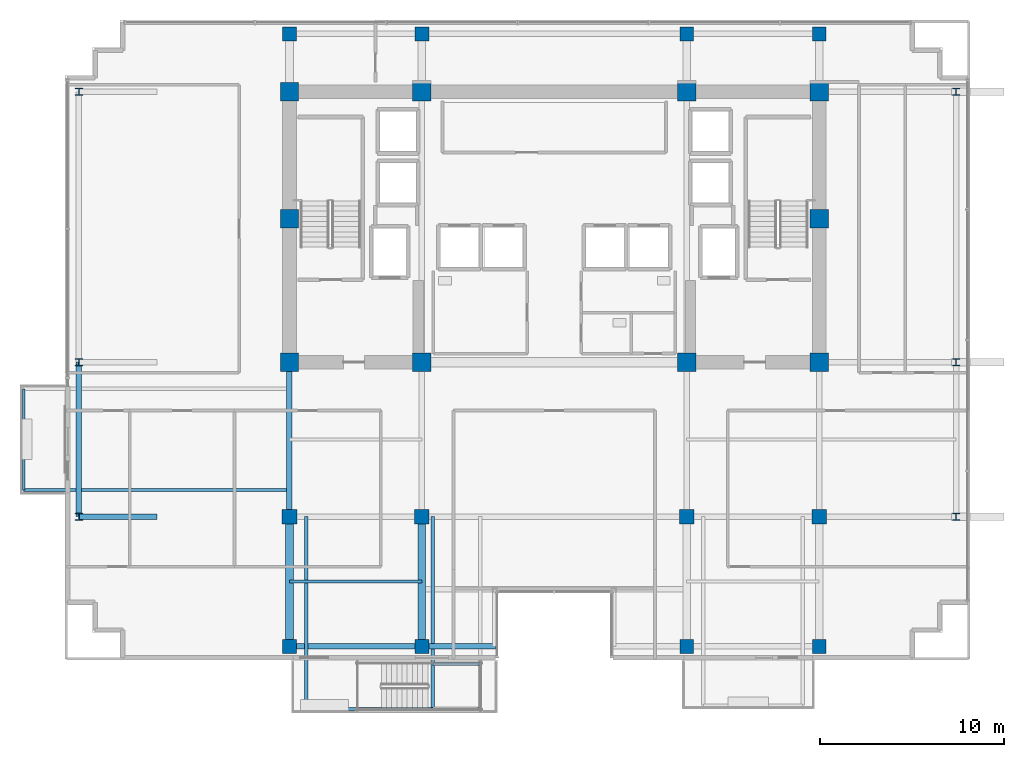
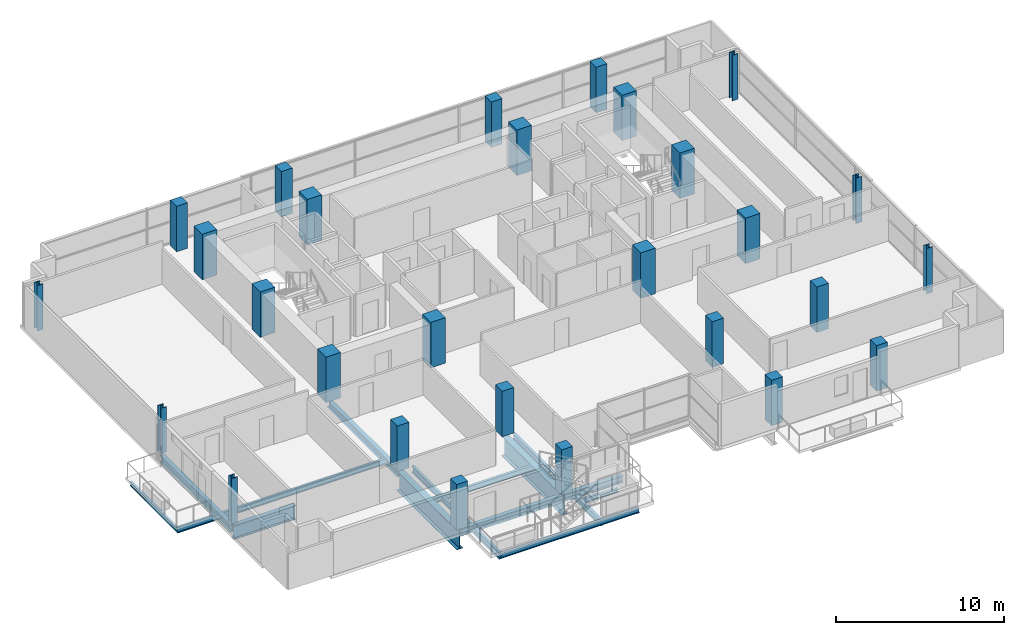
# One storey, part 1 of 23: 28 columns, 14 beams.
"""IFC4 building model written with IfcOpenShell, lengths in metres."""

import ifcopenshell
import ifcopenshell.guid

model = None  # the IFC model being written
_history = None  # IfcOwnerHistory: only IFC2X3 demands one
_inside = {}  # id of a spatial element -> (the spatial element, [elements in it])
_under = {}  # id of a project, library or spatial element -> (it, [spatial elements below it])
_declared = {}  # id of a project -> (the project, [libraries it declares])
_typed = {}  # id of a type object -> (the type object, [elements of that type])
_made_of = {}  # id of a material, layer set ... -> (it, [elements and type objects made of it])


def new_model(schema):
    """Start an empty IFC model of exactly this schema.

    Asked for "IFC4X3", IfcOpenShell would pick the latest addendum, in which some entities
    have other attributes; the version numbers below select the first issue.
    IFC2X3 requires an IfcOwnerHistory on every rooted entity: one is made here for all.
    """
    global model, _history
    if schema == "IFC4X3":
        model = ifcopenshell.file(schema_version=(4, 3, 0, 0))
    else:
        model = ifcopenshell.file(schema=schema)
    _inside.clear()
    _under.clear()
    _declared.clear()
    _typed.clear()
    _made_of.clear()
    _history = None
    if model.schema == "IFC2X3":
        org = make("IfcOrganization", Name="unknown")
        user = make(
            "IfcPersonAndOrganization",
            ThePerson=make("IfcPerson", FamilyName="unknown"),
            TheOrganization=org,
        )
        app = make(
            "IfcApplication",
            ApplicationDeveloper=org,
            Version="unknown",
            ApplicationFullName="unknown",
            ApplicationIdentifier="unknown",
        )
        _history = make(
            "IfcOwnerHistory",
            OwningUser=user,
            OwningApplication=app,
            ChangeAction="ADDED",
            CreationDate=0,
        )
    return model


def make(cls, **values):
    """One entity of the class cls with the attributes given. An attribute that is None is left unset."""
    return model.create_entity(
        cls, **{name: value for name, value in values.items() if value is not None}
    )


def rooted(cls, **values):
    """An entity with a GlobalId (a new one), such as an element, a storey or a relation."""
    return make(cls, GlobalId=ifcopenshell.guid.new(), OwnerHistory=_history, **values)


def si_unit(unit_type, name, prefix=None):
    """IfcSIUnit, for example si_unit("LENGTHUNIT", "METRE", prefix="MILLI")."""
    return make("IfcSIUnit", UnitType=unit_type, Prefix=prefix, Name=name)


def assignment(units):
    """IfcUnitAssignment: the units of a project."""
    return None if units is None else make("IfcUnitAssignment", Units=units)


def point(xyz):
    """IfcCartesianPoint."""
    return None if xyz is None else make("IfcCartesianPoint", Coordinates=xyz)


def direction(xyz):
    """IfcDirection."""
    return None if xyz is None else make("IfcDirection", DirectionRatios=xyz)


def frame(location, z_axis=None, x_axis=None):
    """IfcAxis2Placement3D, a coordinate frame: its origin and axes. An axis left out is left unset."""
    return make(
        "IfcAxis2Placement3D",
        Location=point(location),
        Axis=direction(z_axis),
        RefDirection=direction(x_axis),
    )


def frame_2d(location, x_axis=None):
    """IfcAxis2Placement2D, a coordinate frame in the plane: its origin and x axis."""
    return make(
        "IfcAxis2Placement2D", Location=point(location), RefDirection=direction(x_axis)
    )


def origin():
    """The frame at (0, 0, 0) with its axes left unset."""
    return frame((0.0, 0.0, 0.0))


def origin_2d():
    """The frame at (0, 0) in the plane with its x axis left unset."""
    return frame_2d((0.0, 0.0))


def place(relative_to, where):
    """IfcLocalPlacement: puts the frame where relative to a parent placement (None: the world)."""
    return make(
        "IfcLocalPlacement", PlacementRelTo=relative_to, RelativePlacement=where
    )


def context(
    kind, dimensions, precision=None, world=None, true_north=None, identifier=None
):
    """IfcGeometricRepresentationContext, for example the 3D "Model" context."""
    return make(
        "IfcGeometricRepresentationContext",
        ContextIdentifier=identifier,
        ContextType=kind,
        CoordinateSpaceDimension=dimensions,
        Precision=precision,
        WorldCoordinateSystem=world,
        TrueNorth=true_north,
    )


def subcontext(parent, identifier, kind, view, scale=None):
    """IfcGeometricRepresentationSubContext, for example "Body" below "Model"."""
    return make(
        "IfcGeometricRepresentationSubContext",
        ContextIdentifier=identifier,
        ContextType=kind,
        ParentContext=parent,
        TargetScale=scale,
        TargetView=view,
    )


def project(units=None, contexts=None):
    """IfcProject with its units and contexts."""
    return rooted(
        "IfcProject",
        Name="project",
        RepresentationContexts=contexts,
        UnitsInContext=assignment(units),
    )


def spatial(cls, under=None, at=None, **own):
    """A site, building, storey or space (cls), placed at a placement, below another one or the project."""
    s = rooted(cls, ObjectPlacement=at, **own)
    if under is not None:
        _under.setdefault(under.id(), (under, []))[1].append(s)
    return s


def profile(cls, at=None, kind="AREA", **sizes):
    """A parametric profile (cls). Its sizes go by their IFC names, for example OverallWidth=200.0."""
    return make(cls, ProfileType=kind, Position=at, **sizes)


def rectangle(**sizes):
    """IfcRectangleProfileDef."""
    return profile("IfcRectangleProfileDef", **sizes)


def i_section(**sizes):
    """IfcIShapeProfileDef."""
    return profile("IfcIShapeProfileDef", **sizes)


def extrude(swept, where, along, depth):
    """IfcExtrudedAreaSolid: the profile swept, set in the frame where, extruded along a direction by depth."""
    return make(
        "IfcExtrudedAreaSolid",
        SweptArea=swept,
        Position=where,
        ExtrudedDirection=direction(along),
        Depth=depth,
    )


def shape(context_of_items, identifier, shape_type, items):
    """IfcShapeRepresentation: the items that make up one representation, for example the "Body"."""
    return make(
        "IfcShapeRepresentation",
        ContextOfItems=context_of_items,
        RepresentationIdentifier=identifier,
        RepresentationType=shape_type,
        Items=items,
    )


def material(Name=None, Category=None):
    """IfcMaterial."""
    return make("IfcMaterial", Name=Name, Category=Category)


def material_profile(
    of_material, cross_section, Name=None, Category=None, Priority=None
):
    """IfcMaterialProfile: a cross section and its material."""
    return make(
        "IfcMaterialProfile",
        Name=Name,
        Material=of_material,
        Profile=cross_section,
        Priority=Priority,
        Category=Category,
    )


def profile_set(profiles, Name=None, composite=None):
    """IfcMaterialProfileSet."""
    return make(
        "IfcMaterialProfileSet",
        Name=Name,
        MaterialProfiles=profiles,
        CompositeProfile=composite,
    )


def made_of(thing, what):
    """Note that an element or type object is made of a material, layer set ...; save() writes the relation."""
    if what is not None:
        _made_of.setdefault(what.id(), (what, []))[1].append(thing)
    return thing


def type_object(cls, material=None, **own):
    """A type object (cls), such as IfcWallType, which elements share."""
    return made_of(rooted(cls, **own), material)


def element(
    cls,
    number,
    at=None,
    inside=None,
    cuts=None,
    type_object=None,
    material=None,
    context=None,
    identifier="Body",
    shape_type=None,
    held_by="IfcProductDefinitionShape",
    body=None,
    shapes=None,
    **own,
):
    """One element of the class cls, such as IfcWall. Its Tag is "e" and its number.

    at: its placement. inside: the storey or other place that contains it. cuts: it is an
    opening in that element (IfcRelVoidsElement). A single representation is given by context,
    identifier, shape_type and body (its items); several are given by shapes. held_by: the class
    of the entity that holds the representations. save() writes the other relations.
    """
    e = rooted(cls, Tag="e%d" % number, ObjectPlacement=at, **own)
    if body is not None:
        shapes = [shape(context, identifier, shape_type, body)]
    if shapes is not None:
        e.Representation = make(held_by, Representations=shapes)
    if inside is not None:
        _inside.setdefault(inside.id(), (inside, []))[1].append(e)
    if cuts is not None:
        rooted(
            "IfcRelVoidsElement", RelatingBuildingElement=cuts, RelatedOpeningElement=e
        )
    if type_object is not None:
        _typed.setdefault(type_object.id(), (type_object, []))[1].append(e)
    return made_of(e, material)


def aggregate(whole, parts):
    """IfcRelAggregates: a whole, such as a stair, and the parts it consists of."""
    return rooted("IfcRelAggregates", RelatingObject=whole, RelatedObjects=parts)


def save(model, path):
    """Write the relations noted so far, then the file.

    IfcRelAggregates (storeys below a building ...), IfcRelContainedInSpatialStructure (elements
    in a storey), IfcRelDefinesByType, IfcRelAssociatesMaterial and IfcRelDeclares: one each for
    every whole, place, type object, material and project.
    """
    for whole, parts in _under.values():
        aggregate(whole, parts)
    for where, things in _inside.values():
        rooted(
            "IfcRelContainedInSpatialStructure",
            RelatedElements=things,
            RelatingStructure=where,
        )
    for kind, things in _typed.values():
        rooted("IfcRelDefinesByType", RelatedObjects=things, RelatingType=kind)
    for what, things in _made_of.values():
        rooted("IfcRelAssociatesMaterial", RelatedObjects=things, RelatingMaterial=what)
    for by, libraries in _declared.values():
        rooted("IfcRelDeclares", RelatingContext=by, RelatedDefinitions=libraries)
    model.write(path)


model = new_model("IFC4")

# Units and contexts
model_context = context("Model", 3, precision=1e-05, world=origin(), true_north=direction((0.0, 1.0)))
body_context = subcontext(model_context, "Body", "Model", "MODEL_VIEW")
ifc_project = project(units=[si_unit("LENGTHUNIT", "METRE"), si_unit("AREAUNIT", "SQUARE_METRE"), si_unit("VOLUMEUNIT", "CUBIC_METRE"), si_unit("PLANEANGLEUNIT", "RADIAN"), si_unit("MASSUNIT", "GRAM", prefix="KILO")], contexts=[model_context])

# Site, building, storey
site_placement = place(None, origin())
site = spatial("IfcSite", under=ifc_project, at=site_placement, CompositionType="ELEMENT")
building_placement = place(site_placement, origin())
building = spatial("IfcBuilding", under=site, at=building_placement, Name="Zarnakvel Exchange Tower", CompositionType="ELEMENT")
storey_placement = place(building_placement, frame((0.0, 0.0, 146.199951171875)))
storey = spatial("IfcBuildingStorey", under=building, at=storey_placement, Name="L40", CompositionType="ELEMENT", Elevation=146.199951171875)

# Columns
ifc_material_1 = material(Name="Concrete C60/75", Category="concrete")
ifc_material_profile_1 = material_profile(ifc_material_1, rectangle(XDim=1.0, YDim=1.0, at=origin_2d()))
ifc_profile_set_1 = profile_set([ifc_material_profile_1], Name="Concrete C60/75")
column_type_1 = type_object("IfcColumnType", Name="CC-02", PredefinedType="COLUMN", material=ifc_profile_set_1)
for number, where, z_axis, x_axis, name in (
    (1, (-14.39990234375, -1.199951171875, 0.0), (0.0, 0.0, 1.0), (1.0, 0.0, 0.0), "L40 Column C-4D (CC-02)"),
    (2, (-7.199951171875, -1.199951171875, 0.0), (0.0, 0.0, 1.0), (1.0, 0.0, 0.0), "L40 Column C-5D (CC-02)"),
    (3, (7.199951171875, -1.199951171875, 0.0), (0.0, 0.0, 1.0), (1.0, 0.0, 0.0), "L40 Column C-8D (CC-02)"),
    (4, (14.39990234375, -1.199951171875, 0.0), (0.0, 0.0, 1.0), (1.0, 0.0, 0.0), "L40 Column C-9D (CC-02)"),
    (5, (-14.39990234375, 6.60009765625, 0.0), (0.0, 0.0, 1.0), (1.0, 0.0, 0.0), "L40 Column C-4E (CC-02)"),
    (6, (14.39990234375, 6.60009765625, 0.0), (0.0, 0.0, 1.0), (1.0, 0.0, 0.0), "L40 Column C-9E (CC-02)"),
    (7, (-14.39990234375, 13.5, 0.0), (0.0, 0.0, 1.0), (1.0, 0.0, 0.0), "L40 Column C-4F (CC-02)"),
    (8, (-7.199951171875, 13.5, 0.0), (0.0, 0.0, 1.0), (1.0, 0.0, 0.0), "L40 Column C-5F (CC-02)"),
    (9, (7.199951171875, 13.5, 0.0), (0.0, 0.0, 1.0), (1.0, 0.0, 0.0), "L40 Column C-8F (CC-02)"),
    (10, (14.39990234375, 13.5, 0.0), (0.0, 0.0, 1.0), (1.0, 0.0, 0.0), "L40 Column C-9F (CC-02)"),
):
    element("IfcColumn", number, at=place(storey_placement, frame(where, z_axis=z_axis, x_axis=x_axis)), inside=storey, type_object=column_type_1, Name=name, PredefinedType="COLUMN", context=body_context, shape_type="SweptSolid", body=[
        extrude(rectangle(XDim=1.0, YDim=1.0, at=origin_2d()), origin(), (0.0, 0.0, 1.0), 3.300048828125),
    ])
ifc_material_2 = material(Name="Steel S355", Category="steel")
ifc_material_profile_2 = material_profile(ifc_material_2, i_section(OverallWidth=0.39892578125, OverallDepth=0.3935546875, WebThickness=0.022705078125, FlangeThickness=0.03662109375, FilletRadius=0.01513671875, at=origin_2d()))
ifc_profile_set_2 = profile_set([ifc_material_profile_2], Name="Steel S355")
column_type_2 = type_object("IfcColumnType", Name="SC-04", PredefinedType="COLUMN", material=ifc_profile_set_2)
for number, where, z_axis, x_axis, name in (
    (11, (-25.85009765625, -9.60009765625, 0.0), (0.0, 0.0, 1.0), (1.0, 0.0, 0.0), "L40 Column TW-C (SC-04)"),
    (12, (21.85009765625, -9.60009765625, 0.0), (0.0, 0.0, 1.0), (1.0, 0.0, 0.0), "L40 Column TE-C (SC-04)"),
    (13, (-25.85009765625, -1.199951171875, 0.0), (0.0, 0.0, 1.0), (1.0, 0.0, 0.0), "L40 Column TW-D (SC-04)"),
    (14, (21.85009765625, -1.199951171875, 0.0), (0.0, 0.0, 1.0), (1.0, 0.0, 0.0), "L40 Column TE-D (SC-04)"),
    (15, (-25.85009765625, 13.5, 0.0), (0.0, 0.0, 1.0), (1.0, 0.0, 0.0), "L40 Column TW-F (SC-04)"),
    (16, (21.85009765625, 13.5, 0.0), (0.0, 0.0, 1.0), (1.0, 0.0, 0.0), "L40 Column TE-F (SC-04)"),
):
    element("IfcColumn", number, at=place(storey_placement, frame(where, z_axis=z_axis, x_axis=x_axis)), inside=storey, type_object=column_type_2, Name=name, PredefinedType="COLUMN", context=body_context, shape_type="SweptSolid", body=[
        extrude(i_section(OverallWidth=0.39892578125, OverallDepth=0.3935546875, WebThickness=0.022705078125, FlangeThickness=0.03662109375, FilletRadius=0.01513671875, at=origin_2d()), origin(), (0.0, 0.0, 1.0), 3.300048828125),
    ])
ifc_material_profile_3 = material_profile(ifc_material_1, rectangle(XDim=0.800048828125, YDim=0.800048828125, at=origin_2d()))
ifc_profile_set_3 = profile_set([ifc_material_profile_3], Name="Concrete C60/75")
column_type_3 = type_object("IfcColumnType", Name="TC-03", PredefinedType="COLUMN", material=ifc_profile_set_3)
for number, where, z_axis, x_axis, name in (
    (17, (-14.39990234375, -9.60009765625, 0.0), (0.0, 0.0, 1.0), (1.0, 0.0, 0.0), "L40 Column T-4C (TC-03)"),
    (18, (-7.199951171875, -9.60009765625, 0.0), (0.0, 0.0, 1.0), (1.0, 0.0, 0.0), "L40 Column T-5C (TC-03)"),
    (19, (7.199951171875, -9.60009765625, 0.0), (0.0, 0.0, 1.0), (1.0, 0.0, 0.0), "L40 Column T-8C (TC-03)"),
    (20, (14.39990234375, -9.60009765625, 0.0), (0.0, 0.0, 1.0), (1.0, 0.0, 0.0), "L40 Column T-9C (TC-03)"),
):
    element("IfcColumn", number, at=place(storey_placement, frame(where, z_axis=z_axis, x_axis=x_axis)), inside=storey, type_object=column_type_3, Name=name, PredefinedType="COLUMN", context=body_context, shape_type="SweptSolid", body=[
        extrude(rectangle(XDim=0.800048828125, YDim=0.800048828125, at=origin_2d()), origin(), (0.0, 0.0, 1.0), 3.300048828125),
    ])
ifc_material_3 = material(Name="Concrete C50/60", Category="concrete")
ifc_material_profile_4 = material_profile(ifc_material_3, rectangle(XDim=0.75, YDim=0.75, at=origin_2d()))
ifc_profile_set_4 = profile_set([ifc_material_profile_4], Name="Concrete C50/60")
column_type_4 = type_object("IfcColumnType", Name="TC-04", PredefinedType="COLUMN", material=ifc_profile_set_4)
for number, where, z_axis, x_axis, name in (
    (21, (-14.39990234375, -16.64990234375, 0.0), (0.0, 0.0, 1.0), (1.0, 0.0, 0.0), "L40 Column TS-4 (TC-04)"),
    (22, (-14.39990234375, 16.64990234375, 0.0), (0.0, 0.0, 1.0), (1.0, 0.0, 0.0), "L40 Column TN-4 (TC-04)"),
    (23, (-7.199951171875, -16.64990234375, 0.0), (0.0, 0.0, 1.0), (1.0, 0.0, 0.0), "L40 Column TS-5 (TC-04)"),
    (24, (-7.199951171875, 16.64990234375, 0.0), (0.0, 0.0, 1.0), (1.0, 0.0, 0.0), "L40 Column TN-5 (TC-04)"),
    (25, (7.199951171875, -16.64990234375, 0.0), (0.0, 0.0, 1.0), (1.0, 0.0, 0.0), "L40 Column TS-8 (TC-04)"),
    (26, (7.199951171875, 16.64990234375, 0.0), (0.0, 0.0, 1.0), (1.0, 0.0, 0.0), "L40 Column TN-8 (TC-04)"),
    (27, (14.39990234375, -16.64990234375, 0.0), (0.0, 0.0, 1.0), (1.0, 0.0, 0.0), "L40 Column TS-9 (TC-04)"),
    (28, (14.39990234375, 16.64990234375, 0.0), (0.0, 0.0, 1.0), (1.0, 0.0, 0.0), "L40 Column TN-9 (TC-04)"),
):
    element("IfcColumn", number, at=place(storey_placement, frame(where, z_axis=z_axis, x_axis=x_axis)), inside=storey, type_object=column_type_4, Name=name, PredefinedType="COLUMN", context=body_context, shape_type="SweptSolid", body=[
        extrude(rectangle(XDim=0.75, YDim=0.75, at=origin_2d()), origin(), (0.0, 0.0, 1.0), 3.300048828125),
    ])

# Beams
ifc_material_profile_5 = material_profile(ifc_material_2, i_section(OverallWidth=0.18994140625, OverallDepth=0.449951171875, WebThickness=0.009521484375, FlangeThickness=0.0146484375, FilletRadius=0.02099609375, at=origin_2d()))
ifc_profile_set_5 = profile_set([ifc_material_profile_5], Name="Steel S355")
beam_type_1 = type_object("IfcBeamType", Name="B-05", PredefinedType="JOIST", material=ifc_profile_set_5)
for number, where, z_axis, x_axis, name in (
    (29, (-13.5, -9.60009765625, -0.474853515625), (0.0, -1.0, 0.0), (1.0, 0.0, 0.0), "L40 Continuous Spiral Terrace Beam W"),
    (30, (-6.60009765625, -9.60009765625, -0.474853515625), (0.0, -1.0, 0.0), (1.0, 0.0, 0.0), "L40 Terrace Stair Plinth Beam W"),
):
    element("IfcBeam", number, at=place(storey_placement, frame(where, z_axis=z_axis, x_axis=x_axis)), inside=storey, type_object=beam_type_1, Name=name, PredefinedType="JOIST", context=body_context, shape_type="SweptSolid", body=[
        extrude(i_section(OverallWidth=0.18994140625, OverallDepth=0.449951171875, WebThickness=0.009521484375, FlangeThickness=0.0146484375, FilletRadius=0.02099609375, at=origin_2d()), origin(), (0.0, 0.0, 1.0), 10.4599609375),
    ])
ifc_material_profile_6 = material_profile(ifc_material_2, i_section(OverallWidth=0.179931640625, OverallDepth=0.39990234375, WebThickness=0.008544921875, FlangeThickness=0.013427734375, FilletRadius=0.02099609375, at=origin_2d()))
ifc_profile_set_6 = profile_set([ifc_material_profile_6], Name="Steel S355")
beam_type_2 = type_object("IfcBeamType", Name="B-06", PredefinedType="JOIST", material=ifc_profile_set_6)
beam_1_placement = place(storey_placement, frame((-14.39990234375, -13.125, -0.425048828125), z_axis=(1.0, 0.0, 0.0), x_axis=(0.0, 1.0, 0.0)))
element("IfcBeam", 31, at=beam_1_placement, inside=storey, type_object=beam_type_2, Name="L40 Composite Floor Secondary Joist", PredefinedType="JOIST", context=body_context, shape_type="SweptSolid", body=[
    extrude(i_section(OverallWidth=0.179931640625, OverallDepth=0.39990234375, WebThickness=0.008544921875, FlangeThickness=0.013427734375, FilletRadius=0.02099609375, at=origin_2d()), origin(), (0.0, 0.0, 1.0), 7.199951171875),
])
beam_2_placement = place(storey_placement, frame((-14.39990234375, -8.14990234375, -0.425048828125), z_axis=(-1.0, 0.0, 0.0), x_axis=(0.0, -1.0, 0.0)))
element("IfcBeam", 32, at=beam_2_placement, inside=storey, type_object=beam_type_2, Name="L40 Continuous West Loggia Beam S", PredefinedType="JOIST", context=body_context, shape_type="SweptSolid", body=[
    extrude(i_section(OverallWidth=0.179931640625, OverallDepth=0.39990234375, WebThickness=0.008544921875, FlangeThickness=0.013427734375, FilletRadius=0.02099609375, at=origin_2d()), origin(), (0.0, 0.0, 1.0), 14.4501953125),
])
ifc_material_profile_7 = material_profile(ifc_material_2, i_section(OverallWidth=0.169921875, OverallDepth=0.360107421875, WebThickness=0.008056640625, FlangeThickness=0.0126953125, FilletRadius=0.01806640625, at=origin_2d()))
ifc_profile_set_7 = profile_set([ifc_material_profile_7], Name="Steel S355")
beam_type_3 = type_object("IfcBeamType", Name="B-07", PredefinedType="JOIST", material=ifc_profile_set_7)
beam_3_placement = place(storey_placement, frame((-13.5, -20.06005859375, -0.429931640625), z_axis=(1.0, 0.0, 0.0), x_axis=(0.0, 1.0, 0.0)))
element("IfcBeam", 33, at=beam_3_placement, inside=storey, type_object=beam_type_3, Name="L40 Spiral Terrace Edge Beam", PredefinedType="JOIST", context=body_context, shape_type="SweptSolid", body=[
    extrude(i_section(OverallWidth=0.169921875, OverallDepth=0.360107421875, WebThickness=0.008056640625, FlangeThickness=0.0126953125, FilletRadius=0.01806640625, at=origin_2d()), origin(), (0.0, 0.0, 1.0), 9.469970703125),
])
beam_4_placement = place(storey_placement, frame((-6.60009765625, -17.60009765625, -0.429931640625), z_axis=(1.0, 0.0, 0.0), x_axis=(0.0, 1.0, 0.0)))
element("IfcBeam", 34, at=beam_4_placement, inside=storey, type_object=beam_type_3, Name="L40 Terrace Stair Plinth Inner Beam", PredefinedType="JOIST", context=body_context, shape_type="SweptSolid", body=[
    extrude(i_section(OverallWidth=0.169921875, OverallDepth=0.360107421875, WebThickness=0.008056640625, FlangeThickness=0.0126953125, FilletRadius=0.01806640625, at=origin_2d()), origin(), (0.0, 0.0, 1.0), 2.570068359375),
])
ifc_material_profile_8 = material_profile(ifc_material_2, i_section(OverallWidth=0.14990234375, OverallDepth=0.300048828125, WebThickness=0.007080078125, FlangeThickness=0.0107421875, FilletRadius=0.014892578125, at=origin_2d()))
ifc_profile_set_8 = profile_set([ifc_material_profile_8], Name="Steel S355")
beam_type_4 = type_object("IfcBeamType", Name="B-08", PredefinedType="JOIST", material=ifc_profile_set_8)
beam_5_placement = place(storey_placement, frame((-28.85009765625, -8.14990234375, -0.375), z_axis=(0.0, 1.0, 0.0), x_axis=(-1.0, 0.0, 0.0)))
element("IfcBeam", 35, at=beam_5_placement, inside=storey, type_object=beam_type_4, Name="L40 West Loggia Edge Beam", PredefinedType="JOIST", context=body_context, shape_type="SweptSolid", body=[
    extrude(i_section(OverallWidth=0.14990234375, OverallDepth=0.300048828125, WebThickness=0.007080078125, FlangeThickness=0.0107421875, FilletRadius=0.014892578125, at=origin_2d()), origin(), (0.0, 0.0, 1.0), 5.5),
])
ifc_material_profile_9 = material_profile(ifc_material_2, i_section(OverallWidth=0.300048828125, OverallDepth=0.5, WebThickness=0.014404296875, FlangeThickness=0.028076171875, FilletRadius=0.027099609375, at=origin_2d()))
ifc_profile_set_9 = profile_set([ifc_material_profile_9], Name="Steel S355")
beam_type_5 = type_object("IfcBeamType", Name="G-06", PredefinedType="BEAM", material=ifc_profile_set_9)
beam_6_placement = place(storey_placement, frame((-14.39990234375, -9.60009765625, -0.474853515625), z_axis=(0.0, 1.0, 0.0), x_axis=(-1.0, 0.0, 0.0)))
element("IfcBeam", 36, at=beam_6_placement, inside=storey, type_object=beam_type_5, Name="L40 Tower N-S Frame Beam", PredefinedType="BEAM", context=body_context, shape_type="SweptSolid", body=[
    extrude(i_section(OverallWidth=0.300048828125, OverallDepth=0.5, WebThickness=0.014404296875, FlangeThickness=0.028076171875, FilletRadius=0.027099609375, at=origin_2d()), origin(), (0.0, 0.0, 1.0), 8.400146484375),
])
ifc_material_profile_10 = material_profile(ifc_material_2, i_section(OverallWidth=0.300048828125, OverallDepth=0.5, WebThickness=0.014404296875, FlangeThickness=0.028076171875, FilletRadius=0.027099609375, at=origin_2d()))
ifc_profile_set_10 = profile_set([ifc_material_profile_10], Name="Steel S355")
beam_type_6 = type_object("IfcBeamType", Name="SP-02", PredefinedType="SPANDREL", material=ifc_profile_set_10)
beam_7_placement = place(storey_placement, frame((-14.39990234375, -16.64990234375, -0.474853515625), z_axis=(1.0, 0.0, 0.0), x_axis=(0.0, 1.0, 0.0)))
element("IfcBeam", 37, at=beam_7_placement, inside=storey, type_object=beam_type_6, Name="L40 Tower E-W Frame Beam", PredefinedType="SPANDREL", context=body_context, shape_type="SweptSolid", body=[
    extrude(i_section(OverallWidth=0.300048828125, OverallDepth=0.5, WebThickness=0.014404296875, FlangeThickness=0.028076171875, FilletRadius=0.027099609375, at=origin_2d()), origin(), (0.0, 0.0, 1.0), 7.199951171875),
])
beam_8_placement = place(storey_placement, frame((-7.199951171875, -16.64990234375, -0.474853515625), z_axis=(1.0, 0.0, 0.0), x_axis=(0.0, 1.0, 0.0)))
element("IfcBeam", 38, at=beam_8_placement, inside=storey, type_object=beam_type_6, Name="L40 South Slot West Jamb Spandrel", PredefinedType="SPANDREL", context=body_context, shape_type="SweptSolid", body=[
    extrude(i_section(OverallWidth=0.300048828125, OverallDepth=0.5, WebThickness=0.014404296875, FlangeThickness=0.028076171875, FilletRadius=0.027099609375, at=origin_2d()), origin(), (0.0, 0.0, 1.0), 4.0),
])
beam_9_placement = place(storey_placement, frame((-25.85009765625, -9.60009765625, -0.474853515625), z_axis=(0.0, 1.0, 0.0), x_axis=(-1.0, 0.0, 0.0)))
element("IfcBeam", 39, at=beam_9_placement, inside=storey, type_object=beam_type_6, Name="L40 Tower N-S Frame Beam", PredefinedType="SPANDREL", context=body_context, shape_type="SweptSolid", body=[
    extrude(i_section(OverallWidth=0.300048828125, OverallDepth=0.5, WebThickness=0.014404296875, FlangeThickness=0.028076171875, FilletRadius=0.027099609375, at=origin_2d()), origin(), (0.0, 0.0, 1.0), 8.400146484375),
])
ifc_material_4 = material(Name="Steel S460", Category="steel")
ifc_material_profile_11 = material_profile(ifc_material_4, i_section(OverallWidth=0.419921875, OverallDepth=1.449951171875, WebThickness=0.02392578125, FlangeThickness=0.0400390625, FilletRadius=0.030029296875, at=origin_2d()))
ifc_profile_set_11 = profile_set([ifc_material_profile_11], Name="Steel S460")
beam_type_7 = type_object("IfcBeamType", Name="TG-01", PredefinedType="BEAM", material=ifc_profile_set_11)
for number, where, z_axis, x_axis, name in (
    (40, (-14.39990234375, -16.75, -0.949951171875), (0.0, 1.0, 0.0), (-1.0, 0.0, 0.0), "L40 Setback N-S Transfer Girder TS-4"),
    (41, (-7.199951171875, -16.75, -0.949951171875), (0.0, 1.0, 0.0), (-1.0, 0.0, 0.0), "L40 Setback N-S Transfer Girder TS-5"),
):
    element("IfcBeam", number, at=place(storey_placement, frame(where, z_axis=z_axis, x_axis=x_axis)), inside=storey, type_object=beam_type_7, Name=name, PredefinedType="BEAM", context=body_context, shape_type="SweptSolid", body=[
        extrude(i_section(OverallWidth=0.419921875, OverallDepth=1.449951171875, WebThickness=0.02392578125, FlangeThickness=0.0400390625, FilletRadius=0.030029296875, at=origin_2d()), origin(), (0.0, 0.0, 1.0), 7.14990234375),
    ])
ifc_material_profile_12 = material_profile(ifc_material_4, i_section(OverallWidth=0.302001953125, OverallDepth=1.008056640625, WebThickness=0.02099609375, FlangeThickness=0.0400390625, FilletRadius=0.030029296875, at=origin_2d()))
ifc_profile_set_12 = profile_set([ifc_material_profile_12], Name="Steel S460")
beam_type_8 = type_object("IfcBeamType", Name="TG-05", PredefinedType="BEAM", material=ifc_profile_set_12)
beam_10_placement = place(storey_placement, frame((-25.85009765625, -9.60009765625, -0.72900390625), z_axis=(1.0, 0.0, 0.0), x_axis=(0.0, 1.0, 0.0)))
element("IfcBeam", 42, at=beam_10_placement, inside=storey, type_object=beam_type_8, Name="L40 Block-Shift Continuous Transfer TW-C", PredefinedType="BEAM", context=body_context, shape_type="SweptSolid", body=[
    extrude(i_section(OverallWidth=0.302001953125, OverallDepth=1.008056640625, WebThickness=0.02099609375, FlangeThickness=0.0400390625, FilletRadius=0.030029296875, at=origin_2d()), origin(), (0.0, 0.0, 1.0), 4.25),
])

save(model, "model.ifc")
